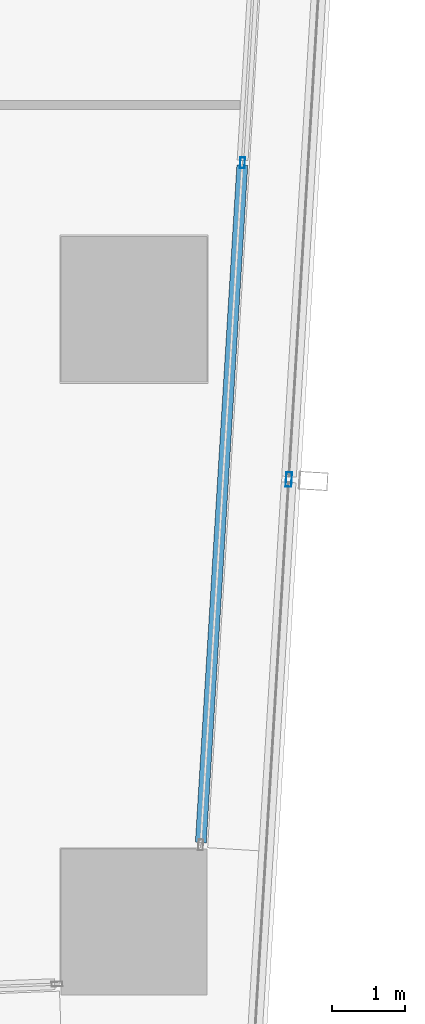
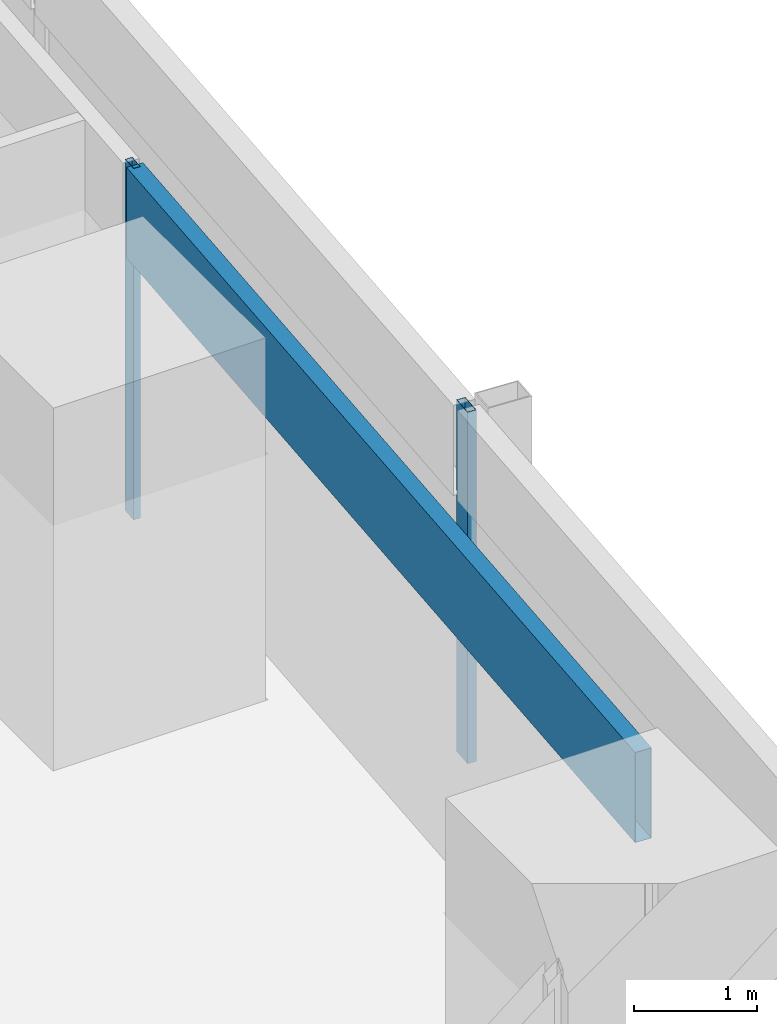
# One storey, part 10 of 36: 3 members, 2 elements without a shape of their own.
"""IFC4 building model written with IfcOpenShell, lengths in metres."""

import ifcopenshell
import ifcopenshell.guid

model = None  # the IFC model being written
_history = None  # IfcOwnerHistory: only IFC2X3 demands one
_inside = {}  # id of a spatial element -> (the spatial element, [elements in it])
_under = {}  # id of a project, library or spatial element -> (it, [spatial elements below it])
_declared = {}  # id of a project -> (the project, [libraries it declares])
_typed = {}  # id of a type object -> (the type object, [elements of that type])
_made_of = {}  # id of a material, layer set ... -> (it, [elements and type objects made of it])


def new_model(schema):
    """Start an empty IFC model of exactly this schema.

    Asked for "IFC4X3", IfcOpenShell would pick the latest addendum, in which some entities
    have other attributes; the version numbers below select the first issue.
    IFC2X3 requires an IfcOwnerHistory on every rooted entity: one is made here for all.
    """
    global model, _history
    if schema == "IFC4X3":
        model = ifcopenshell.file(schema_version=(4, 3, 0, 0))
    else:
        model = ifcopenshell.file(schema=schema)
    _inside.clear()
    _under.clear()
    _declared.clear()
    _typed.clear()
    _made_of.clear()
    _history = None
    if model.schema == "IFC2X3":
        org = make("IfcOrganization", Name="unknown")
        user = make(
            "IfcPersonAndOrganization",
            ThePerson=make("IfcPerson", FamilyName="unknown"),
            TheOrganization=org,
        )
        app = make(
            "IfcApplication",
            ApplicationDeveloper=org,
            Version="unknown",
            ApplicationFullName="unknown",
            ApplicationIdentifier="unknown",
        )
        _history = make(
            "IfcOwnerHistory",
            OwningUser=user,
            OwningApplication=app,
            ChangeAction="ADDED",
            CreationDate=0,
        )
    return model


def make(cls, **values):
    """One entity of the class cls with the attributes given. An attribute that is None is left unset."""
    return model.create_entity(
        cls, **{name: value for name, value in values.items() if value is not None}
    )


def rooted(cls, **values):
    """An entity with a GlobalId (a new one), such as an element, a storey or a relation."""
    return make(cls, GlobalId=ifcopenshell.guid.new(), OwnerHistory=_history, **values)


def si_unit(unit_type, name, prefix=None):
    """IfcSIUnit, for example si_unit("LENGTHUNIT", "METRE", prefix="MILLI")."""
    return make("IfcSIUnit", UnitType=unit_type, Prefix=prefix, Name=name)


def assignment(units):
    """IfcUnitAssignment: the units of a project."""
    return None if units is None else make("IfcUnitAssignment", Units=units)


def point(xyz):
    """IfcCartesianPoint."""
    return None if xyz is None else make("IfcCartesianPoint", Coordinates=xyz)


def direction(xyz):
    """IfcDirection."""
    return None if xyz is None else make("IfcDirection", DirectionRatios=xyz)


def frame(location, z_axis=None, x_axis=None):
    """IfcAxis2Placement3D, a coordinate frame: its origin and axes. An axis left out is left unset."""
    return make(
        "IfcAxis2Placement3D",
        Location=point(location),
        Axis=direction(z_axis),
        RefDirection=direction(x_axis),
    )


def frame_2d(location, x_axis=None):
    """IfcAxis2Placement2D, a coordinate frame in the plane: its origin and x axis."""
    return make(
        "IfcAxis2Placement2D", Location=point(location), RefDirection=direction(x_axis)
    )


def origin():
    """The frame at (0, 0, 0) with its axes left unset."""
    return frame((0.0, 0.0, 0.0))


def origin_2d():
    """The frame at (0, 0) in the plane with its x axis left unset."""
    return frame_2d((0.0, 0.0))


def place(relative_to, where):
    """IfcLocalPlacement: puts the frame where relative to a parent placement (None: the world)."""
    return make(
        "IfcLocalPlacement", PlacementRelTo=relative_to, RelativePlacement=where
    )


def context(
    kind, dimensions, precision=None, world=None, true_north=None, identifier=None
):
    """IfcGeometricRepresentationContext, for example the 3D "Model" context."""
    return make(
        "IfcGeometricRepresentationContext",
        ContextIdentifier=identifier,
        ContextType=kind,
        CoordinateSpaceDimension=dimensions,
        Precision=precision,
        WorldCoordinateSystem=world,
        TrueNorth=true_north,
    )


def subcontext(parent, identifier, kind, view, scale=None):
    """IfcGeometricRepresentationSubContext, for example "Body" below "Model"."""
    return make(
        "IfcGeometricRepresentationSubContext",
        ContextIdentifier=identifier,
        ContextType=kind,
        ParentContext=parent,
        TargetScale=scale,
        TargetView=view,
    )


def project(units=None, contexts=None):
    """IfcProject with its units and contexts."""
    return rooted(
        "IfcProject",
        Name="project",
        RepresentationContexts=contexts,
        UnitsInContext=assignment(units),
    )


def spatial(cls, under=None, at=None, **own):
    """A site, building, storey or space (cls), placed at a placement, below another one or the project."""
    s = rooted(cls, ObjectPlacement=at, **own)
    if under is not None:
        _under.setdefault(under.id(), (under, []))[1].append(s)
    return s


def profile(cls, at=None, kind="AREA", **sizes):
    """A parametric profile (cls). Its sizes go by their IFC names, for example OverallWidth=200.0."""
    return make(cls, ProfileType=kind, Position=at, **sizes)


def hollow_rectangle(**sizes):
    """IfcRectangleHollowProfileDef."""
    return profile("IfcRectangleHollowProfileDef", **sizes)


def extrude(swept, where, along, depth):
    """IfcExtrudedAreaSolid: the profile swept, set in the frame where, extruded along a direction by depth."""
    return make(
        "IfcExtrudedAreaSolid",
        SweptArea=swept,
        Position=where,
        ExtrudedDirection=direction(along),
        Depth=depth,
    )


def shape(context_of_items, identifier, shape_type, items):
    """IfcShapeRepresentation: the items that make up one representation, for example the "Body"."""
    return make(
        "IfcShapeRepresentation",
        ContextOfItems=context_of_items,
        RepresentationIdentifier=identifier,
        RepresentationType=shape_type,
        Items=items,
    )


def material(Name=None, Category=None):
    """IfcMaterial."""
    return make("IfcMaterial", Name=Name, Category=Category)


def material_profile(
    of_material, cross_section, Name=None, Category=None, Priority=None
):
    """IfcMaterialProfile: a cross section and its material."""
    return make(
        "IfcMaterialProfile",
        Name=Name,
        Material=of_material,
        Profile=cross_section,
        Priority=Priority,
        Category=Category,
    )


def profile_set(profiles, Name=None, composite=None):
    """IfcMaterialProfileSet."""
    return make(
        "IfcMaterialProfileSet",
        Name=Name,
        MaterialProfiles=profiles,
        CompositeProfile=composite,
    )


def made_of(thing, what):
    """Note that an element or type object is made of a material, layer set ...; save() writes the relation."""
    if what is not None:
        _made_of.setdefault(what.id(), (what, []))[1].append(thing)
    return thing


def type_object(cls, material=None, **own):
    """A type object (cls), such as IfcWallType, which elements share."""
    return made_of(rooted(cls, **own), material)


def element(
    cls,
    number,
    at=None,
    inside=None,
    cuts=None,
    type_object=None,
    material=None,
    context=None,
    identifier="Body",
    shape_type=None,
    held_by="IfcProductDefinitionShape",
    body=None,
    shapes=None,
    **own,
):
    """One element of the class cls, such as IfcWall. Its Tag is "e" and its number.

    at: its placement. inside: the storey or other place that contains it. cuts: it is an
    opening in that element (IfcRelVoidsElement). A single representation is given by context,
    identifier, shape_type and body (its items); several are given by shapes. held_by: the class
    of the entity that holds the representations. save() writes the other relations.
    """
    e = rooted(cls, Tag="e%d" % number, ObjectPlacement=at, **own)
    if body is not None:
        shapes = [shape(context, identifier, shape_type, body)]
    if shapes is not None:
        e.Representation = make(held_by, Representations=shapes)
    if inside is not None:
        _inside.setdefault(inside.id(), (inside, []))[1].append(e)
    if cuts is not None:
        rooted(
            "IfcRelVoidsElement", RelatingBuildingElement=cuts, RelatedOpeningElement=e
        )
    if type_object is not None:
        _typed.setdefault(type_object.id(), (type_object, []))[1].append(e)
    return made_of(e, material)


def aggregate(whole, parts):
    """IfcRelAggregates: a whole, such as a stair, and the parts it consists of."""
    return rooted("IfcRelAggregates", RelatingObject=whole, RelatedObjects=parts)


def save(model, path):
    """Write the relations noted so far, then the file.

    IfcRelAggregates (storeys below a building ...), IfcRelContainedInSpatialStructure (elements
    in a storey), IfcRelDefinesByType, IfcRelAssociatesMaterial and IfcRelDeclares: one each for
    every whole, place, type object, material and project.
    """
    for whole, parts in _under.values():
        aggregate(whole, parts)
    for where, things in _inside.values():
        rooted(
            "IfcRelContainedInSpatialStructure",
            RelatedElements=things,
            RelatingStructure=where,
        )
    for kind, things in _typed.values():
        rooted("IfcRelDefinesByType", RelatedObjects=things, RelatingType=kind)
    for what, things in _made_of.values():
        rooted("IfcRelAssociatesMaterial", RelatedObjects=things, RelatingMaterial=what)
    for by, libraries in _declared.values():
        rooted("IfcRelDeclares", RelatingContext=by, RelatedDefinitions=libraries)
    model.write(path)


model = new_model("IFC4")

# Units and contexts
model_context = context("Model", 3, precision=1e-05, world=origin(), true_north=direction((0.0, 1.0)))
body_context = subcontext(model_context, "Body", "Model", "MODEL_VIEW")
ifc_project = project(units=[si_unit("LENGTHUNIT", "METRE"), si_unit("AREAUNIT", "SQUARE_METRE"), si_unit("VOLUMEUNIT", "CUBIC_METRE"), si_unit("PLANEANGLEUNIT", "RADIAN"), si_unit("MASSUNIT", "GRAM", prefix="KILO")], contexts=[model_context])

# Site, building, storey
site_placement = place(None, origin())
site = spatial("IfcSite", under=ifc_project, at=site_placement, CompositionType="ELEMENT")
building_placement = place(site_placement, origin())
building = spatial("IfcBuilding", under=site, at=building_placement, Name="Rekha Terrace Tower", CompositionType="ELEMENT")
storey_placement = place(building_placement, frame((0.0, 0.0, 144.050048828125)))
storey = spatial("IfcBuildingStorey", under=building, at=storey_placement, Name="L36", CompositionType="ELEMENT", Elevation=144.050048828125)

# Curtain wall, members
ifc_material_1 = material(Name="Aluminium framing", Category="aluminium")
curtain_wall_type_1 = type_object("IfcCurtainWallType", Name="CW1 double skin inner glazing", PredefinedType="USERDEFINED", material=ifc_material_1)
curtain_wall_1_placement = place(storey_placement, origin())
curtain_wall_1 = element("IfcCurtainWall", 1, at=curtain_wall_1_placement, inside=storey, type_object=curtain_wall_type_1, Name="CW1 double skin inner glazing", ObjectType="DOUBLE SKIN INNER GLAZING", PredefinedType="USERDEFINED")
ifc_material_2 = material(Name="Aluminium mullion section", Category="aluminium")
ifc_material_profile_1 = material_profile(ifc_material_2, hollow_rectangle(XDim=0.06494140625, YDim=0.14990234375, WallThickness=0.00390625, at=origin_2d()), Name="AL RHS 65x150")
ifc_profile_set_1 = profile_set([ifc_material_profile_1], Name="Aluminium mullion section")
member_type_1 = type_object("IfcMemberType", Name="CW1 mullion RHS 65 x 150", PredefinedType="MULLION", material=ifc_profile_set_1)
member_1_placement = place(storey_placement, frame((68.68603515625, 27.20751953125, 0.0), z_axis=(0.0, 0.0, 1.0), x_axis=(-0.998127987024, 0.061159803131, 0.0)))
member_1 = element("IfcMember", 2, at=member_1_placement, type_object=member_type_1, Name="CW1 mullion 2", PredefinedType="MULLION", context=body_context, shape_type="SweptSolid", body=[
    extrude(hollow_rectangle(XDim=0.06494140625, YDim=0.14990234375, WallThickness=0.00390625, at=origin_2d()), origin(), (0.0, 0.0, 1.0), 3.5),
])
ifc_material_3 = material(Name="Insulated aluminium spandrel box", Category="aluminium")
ifc_material_profile_2 = material_profile(ifc_material_3, hollow_rectangle(XDim=0.14990234375, YDim=0.89990234375, WallThickness=0.0029296875, at=origin_2d()), Name="AL SPANDREL BOX 150x900")
ifc_profile_set_2 = profile_set([ifc_material_profile_2], Name="Insulated aluminium spandrel box")
member_type_2 = type_object("IfcMemberType", Name="CW1 spandrel transom 150 x 900", PredefinedType="USERDEFINED", material=ifc_profile_set_2)
member_2_placement = place(storey_placement, frame((68.115234375, 17.890380859375, 3.050048828125), z_axis=(0.061152753515, 0.998128418961, 0.0), x_axis=(-0.998128418961, 0.061152753515, 0.0)))
member_2 = element("IfcMember", 3, at=member_2_placement, type_object=member_type_2, Name="CW1 spandrel transom 1", ObjectType="TRANSOM", PredefinedType="USERDEFINED", context=body_context, shape_type="SweptSolid", body=[
    extrude(hollow_rectangle(XDim=0.14990234375, YDim=0.89990234375, WallThickness=0.0029296875, at=origin_2d()), origin(), (0.0, 0.0, 1.0), 9.302001953125),
])
aggregate(curtain_wall_1, [member_1, member_2])

# Curtain wall, member
curtain_wall_type_2 = type_object("IfcCurtainWallType", Name="CW2 double skin outer glazing", PredefinedType="USERDEFINED", material=ifc_material_1)
curtain_wall_2_placement = place(storey_placement, origin())
curtain_wall_2 = element("IfcCurtainWall", 4, at=curtain_wall_2_placement, inside=storey, type_object=curtain_wall_type_2, Name="CW2 double skin outer glazing", ObjectType="DOUBLE SKIN OUTER GLAZING", PredefinedType="USERDEFINED")
ifc_material_profile_3 = material_profile(ifc_material_2, hollow_rectangle(XDim=0.080078125, YDim=0.199951171875, WallThickness=0.00390625, at=origin_2d()), Name="AL RHS 80x200")
ifc_profile_set_3 = profile_set([ifc_material_profile_3], Name="Aluminium mullion section")
member_type_3 = type_object("IfcMemberType", Name="CW2 mullion RHS 80 x 200", PredefinedType="MULLION", material=ifc_profile_set_3)
member_3_placement = place(storey_placement, frame((69.32177734375, 22.8662109375, 0.0), z_axis=(0.0, 0.0, 1.0), x_axis=(-0.998127987024, 0.061159803131, 0.0)))
member_3 = element("IfcMember", 5, at=member_3_placement, type_object=member_type_3, Name="CW2 mullion 2", PredefinedType="MULLION", context=body_context, shape_type="SweptSolid", body=[
    extrude(hollow_rectangle(XDim=0.080078125, YDim=0.199951171875, WallThickness=0.00390625, at=origin_2d()), origin(), (0.0, 0.0, 1.0), 3.5),
])
aggregate(curtain_wall_2, [member_3])

save(model, "model.ifc")
